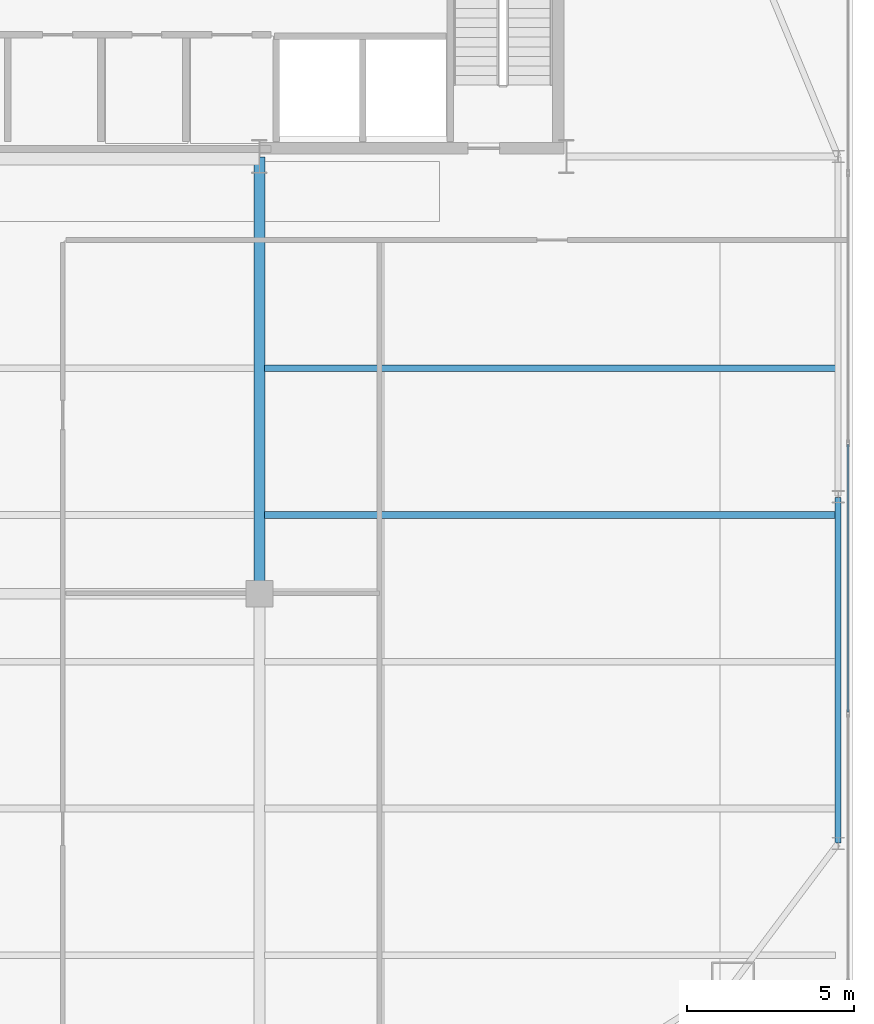
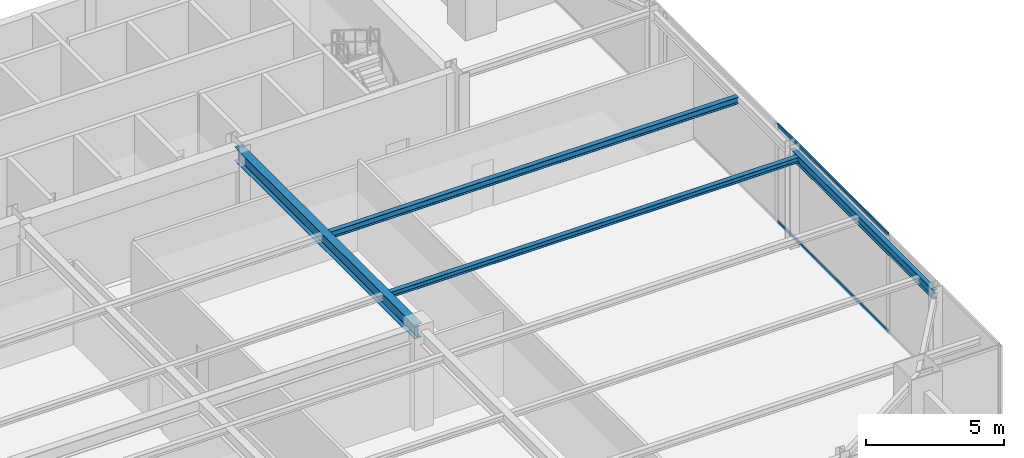
# One storey, part 16 of 25: 4 beams, 2 members, 1 element without a shape of its own.
"""IFC4 building model written with IfcOpenShell, lengths in metres."""

from ifc_helpers import new_model, si_unit, direction, frame, origin, origin_2d, place, context, subcontext, project, spatial, hollow_rectangle, i_section, extrude, source, transform, mapped, material, layer, layer_set, material_profile, profile_set, type_object, type_shapes, element, aggregate, save


model = new_model("IFC4")

# Units and contexts
model_context = context("Model", 3, precision=1e-05, world=origin(), true_north=direction((0.0, 1.0)))
body_context = subcontext(model_context, "Body", "Model", "MODEL_VIEW")
ifc_project = project(units=[si_unit("LENGTHUNIT", "METRE"), si_unit("AREAUNIT", "SQUARE_METRE"), si_unit("VOLUMEUNIT", "CUBIC_METRE"), si_unit("PLANEANGLEUNIT", "RADIAN"), si_unit("MASSUNIT", "GRAM", prefix="KILO")], contexts=[model_context])

# Site, building, storey
site_placement = place(None, origin())
site = spatial("IfcSite", under=ifc_project, at=site_placement, CompositionType="ELEMENT")
building_placement = place(site_placement, origin())
building = spatial("IfcBuilding", under=site, at=building_placement, Name="Varnel Quay Broadcast Tower", CompositionType="ELEMENT")
storey_placement = place(building_placement, frame((0.0, 0.0, 191.39990234375)))
storey = spatial("IfcBuildingStorey", under=building, at=storey_placement, Name="L47", CompositionType="ELEMENT", Elevation=191.39990234375)

# Beams
ifc_material_1 = material(Name="Structural Steel CSA G40.21 350W", Category="steel")
ifc_material_profile_1 = material_profile(ifc_material_1, i_section(OverallWidth=0.180908203125, OverallDepth=0.4169921875, WebThickness=0.010986328125, FlangeThickness=0.018310546875, FilletRadius=0.011962890625, at=origin_2d()), Name="W410X85")
ifc_profile_set_1 = profile_set([ifc_material_profile_1], Name="Structural Steel CSA G40.21 350W")
beam_type_1 = type_object("IfcBeamType", Name="Beam_W410X85", PredefinedType="SPANDREL", material=ifc_profile_set_1)
shared_shape_1 = source(origin(), body_context, "Body", "SweptSolid", [
    extrude(i_section(OverallWidth=0.180908203125, OverallDepth=0.4169921875, WebThickness=0.010986328125, FlangeThickness=0.018310546875, FilletRadius=0.011962890625, at=origin_2d()), origin(), (0.0, 0.0, 1.0), 10.35986328125),
])
type_shapes(beam_type_1, [shared_shape_1])
beam_1_placement = place(storey_placement, frame((60.550048828125, 15.02001953125, 4.1416015625), z_axis=(0.0, 1.0, 0.0), x_axis=(-1.0, 0.0, 0.0)))
element("IfcBeam", 1, at=beam_1_placement, inside=storey, type_object=beam_type_1, Name="L47 East Spandrel TC-E1-TC-E2", PredefinedType="SPANDREL", context=body_context, shape_type="MappedRepresentation", body=[
    mapped(shared_shape_1, transform((0.0, 0.0, 0.0), x_axis=(1.0, 0.0, 0.0), y_axis=(0.0, 1.0, 0.0), z_axis=(0.0, 0.0, 1.0), scale=1.0)),
])
ifc_material_profile_2 = material_profile(ifc_material_1, i_section(OverallWidth=0.324951171875, OverallDepth=0.615966796875, WebThickness=0.013916015625, FlangeThickness=0.021484375, FilletRadius=0.01611328125, at=origin_2d()), Name="W610X174")
ifc_profile_set_2 = profile_set([ifc_material_profile_2], Name="Structural Steel CSA G40.21 350W")
beam_type_2 = type_object("IfcBeamType", Name="Girder_W610X174", PredefinedType="BEAM", material=ifc_profile_set_2)
shared_shape_2 = source(origin(), body_context, "Body", "SweptSolid", [
    extrude(i_section(OverallWidth=0.324951171875, OverallDepth=0.615966796875, WebThickness=0.013916015625, FlangeThickness=0.021484375, FilletRadius=0.01611328125, at=origin_2d()), origin(), (0.0, 0.0, 1.0), 13.070068359375),
])
type_shapes(beam_type_2, [shared_shape_2])
beam_2_placement = place(storey_placement, frame((43.199951171875, 22.510009765625, 4.0419921875), z_axis=(0.0, 1.0, 0.0), x_axis=(-1.0, 0.0, 0.0)))
element("IfcBeam", 2, at=beam_2_placement, inside=storey, type_object=beam_type_2, Name="L47 Primary Girder IC-02-CC-S4", PredefinedType="BEAM", context=body_context, shape_type="MappedRepresentation", body=[
    mapped(shared_shape_2, transform((0.0, 0.0, 0.0), x_axis=(1.0, 0.0, 0.0), y_axis=(0.0, 1.0, 0.0), z_axis=(0.0, 0.0, 1.0), scale=1.0)),
])
ifc_material_profile_3 = material_profile(ifc_material_1, i_section(OverallWidth=0.202880859375, OverallDepth=0.302978515625, WebThickness=0.007568359375, FlangeThickness=0.01318359375, FilletRadius=0.011962890625, at=origin_2d()), Name="W310X60")
ifc_profile_set_3 = profile_set([ifc_material_profile_3], Name="Structural Steel CSA G40.21 350W")
beam_type_3 = type_object("IfcBeamType", Name="Beam_W310X60", PredefinedType="JOIST", material=ifc_profile_set_3)
shared_shape_3 = source(origin(), body_context, "Body", "SweptSolid", [
    extrude(i_section(OverallWidth=0.202880859375, OverallDepth=0.302978515625, WebThickness=0.007568359375, FlangeThickness=0.01318359375, FilletRadius=0.011962890625, at=origin_2d()), origin(), (0.0, 0.0, 1.0), 17.107177734375),
])
type_shapes(beam_type_3, [shared_shape_3])
beam_3_placement = place(storey_placement, frame((43.357421875, 29.25, 4.198486328125), z_axis=(1.0, 0.0, 0.0), x_axis=(0.0, 1.0, 0.0)))
element("IfcBeam", 3, at=beam_3_placement, inside=storey, type_object=beam_type_3, Name="L47 East Floor Joist 5", PredefinedType="JOIST", context=body_context, shape_type="MappedRepresentation", body=[
    mapped(shared_shape_3, transform((0.0, 0.0, 0.0), x_axis=(1.0, 0.0, 0.0), y_axis=(0.0, 1.0, 0.0), z_axis=(0.0, 0.0, 1.0), scale=1.0)),
])
ifc_material_profile_4 = material_profile(ifc_material_1, i_section(OverallWidth=0.201904296875, OverallDepth=0.2470703125, WebThickness=0.00732421875, FlangeThickness=0.010986328125, FilletRadius=0.010986328125, at=origin_2d()), Name="W250X49")
ifc_profile_set_4 = profile_set([ifc_material_profile_4], Name="Structural Steel CSA G40.21 350W")
beam_type_4 = type_object("IfcBeamType", Name="Beam_W250X49", PredefinedType="JOIST", material=ifc_profile_set_4)
shared_shape_4 = source(origin(), body_context, "Body", "SweptSolid", [
    extrude(i_section(OverallWidth=0.201904296875, OverallDepth=0.2470703125, WebThickness=0.00732421875, FlangeThickness=0.010986328125, FilletRadius=0.010986328125, at=origin_2d()), origin(), (0.0, 0.0, 1.0), 17.107177734375),
])
type_shapes(beam_type_4, [shared_shape_4])
beam_4_placement = place(storey_placement, frame((43.357421875, 24.85009765625, 4.2265625), z_axis=(1.0, 0.0, 0.0), x_axis=(0.0, 1.0, 0.0)))
element("IfcBeam", 4, at=beam_4_placement, inside=storey, type_object=beam_type_4, Name="L47 East Floor Joist 4", PredefinedType="JOIST", context=body_context, shape_type="MappedRepresentation", body=[
    mapped(shared_shape_4, transform((0.0, 0.0, 0.0), x_axis=(1.0, 0.0, 0.0), y_axis=(0.0, 1.0, 0.0), z_axis=(0.0, 0.0, 1.0), scale=1.0)),
])

# Curtain wall, members
ifc_material_2 = material(Name="Anodised Bronze Aluminium 6063-T6", Category="aluminium")
ifc_layer = layer(ifc_material_2, 0.18994140625, Name="Anodised Bronze Aluminium 6063-T6")
ifc_layer_set = layer_set([ifc_layer], Name="Anodised Bronze Aluminium 6063-T6")
curtain_wall_type = type_object("IfcCurtainWallType", Name="CW_SkyObsHighVis", PredefinedType="NOTDEFINED", material=ifc_layer_set)
curtain_wall_placement = place(storey_placement, origin())
curtain_wall = element("IfcCurtainWall", 5, at=curtain_wall_placement, inside=storey, type_object=curtain_wall_type, Name="L47 East Unitised Curtain Wall", PredefinedType="NOTDEFINED")
ifc_material_profile_5 = material_profile(ifc_material_2, hollow_rectangle(XDim=0.06005859375, YDim=0.14501953125, WallThickness=0.00341796875, at=origin_2d()), Name="ALU60X145X3.5")
ifc_profile_set_5 = profile_set([ifc_material_profile_5], Name="Anodised Bronze Aluminium 6063-T6")
member_type = type_object("IfcMemberType", Name="Tran_CWS-05", PredefinedType="USERDEFINED", material=ifc_profile_set_5)
shared_shape_5 = source(origin(), body_context, "Body", "SweptSolid", [
    extrude(hollow_rectangle(XDim=0.06005859375, YDim=0.14501953125, WallThickness=0.00341796875, at=origin_2d()), origin(), (0.0, 0.0, 1.0), 8.02490234375),
])
type_shapes(member_type, [shared_shape_5])
member_1_placement = place(storey_placement, frame((60.85009765625, 18.9375, 0.030029296875), z_axis=(0.0, 1.0, 0.0), x_axis=(-1.0, 0.0, 0.0)))
member_1 = element("IfcMember", 6, at=member_1_placement, type_object=member_type, Name="CWS-05 transom 2.1", ObjectType="TRANSOM", PredefinedType="USERDEFINED", context=body_context, shape_type="MappedRepresentation", body=[
    mapped(shared_shape_5, transform((0.0, 0.0, 0.0), x_axis=(1.0, 0.0, 0.0), y_axis=(0.0, 1.0, 0.0), z_axis=(0.0, 0.0, 1.0), scale=1.0)),
])
member_2_placement = place(storey_placement, frame((60.85009765625, 18.9375, 4.320068359375), z_axis=(0.0, 1.0, 0.0), x_axis=(-1.0, 0.0, 0.0)))
member_2 = element("IfcMember", 7, at=member_2_placement, type_object=member_type, Name="CWS-05 transom 2.2", ObjectType="TRANSOM", PredefinedType="USERDEFINED", context=body_context, shape_type="MappedRepresentation", body=[
    mapped(shared_shape_5, transform((0.0, 0.0, 0.0), x_axis=(1.0, 0.0, 0.0), y_axis=(0.0, 1.0, 0.0), z_axis=(0.0, 0.0, 1.0), scale=1.0)),
])
aggregate(curtain_wall, [member_1, member_2])

save(model, "model.ifc")
